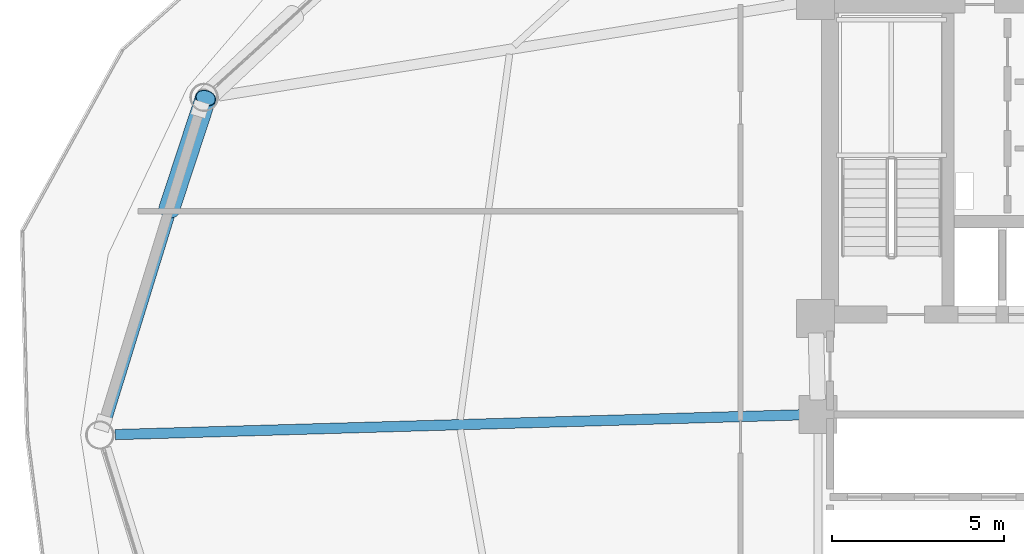
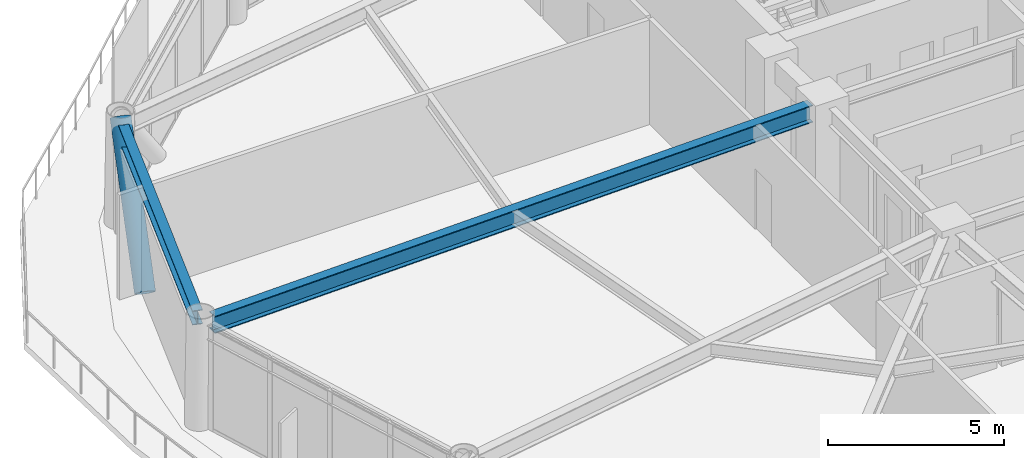
# One storey, part 9 of 26: 2 beams, 1 member.
"""IFC4 building model written with IfcOpenShell, lengths in metres."""

from ifc_helpers import new_model, si_unit, direction, frame, origin, origin_2d, place, context, subcontext, project, spatial, hollow_circle, i_section, extrude, material, material_profile, profile_set, type_object, element, save


model = new_model("IFC4")

# Units and contexts
model_context = context("Model", 3, precision=1e-05, world=origin(), true_north=direction((0.0, 1.0)))
body_context = subcontext(model_context, "Body", "Model", "MODEL_VIEW")
ifc_project = project(units=[si_unit("LENGTHUNIT", "METRE"), si_unit("AREAUNIT", "SQUARE_METRE"), si_unit("VOLUMEUNIT", "CUBIC_METRE"), si_unit("PLANEANGLEUNIT", "RADIAN"), si_unit("MASSUNIT", "GRAM", prefix="KILO")], contexts=[model_context])

# Site, building, storey
site_placement = place(None, origin())
site = spatial("IfcSite", under=ifc_project, at=site_placement, CompositionType="ELEMENT")
building_placement = place(site_placement, origin())
building = spatial("IfcBuilding", under=site, at=building_placement, Name="Varnakorn Sky Granary", CompositionType="ELEMENT")
storey_placement = place(building_placement, frame((0.0, 0.0, 95.39990234375)))
storey = spatial("IfcBuildingStorey", under=building, at=storey_placement, Name="L23", CompositionType="ELEMENT", Elevation=95.39990234375)

# Beams
ifc_material_1 = material(Name="Steel S355JR", Category="steel")
ifc_material_profile_1 = material_profile(ifc_material_1, i_section(OverallWidth=0.300048828125, OverallDepth=0.60009765625, WebThickness=0.015380859375, FlangeThickness=0.030029296875, at=origin_2d()), Name="HE 600 B")
ifc_profile_set_1 = profile_set([ifc_material_profile_1], Name="Steel S355JR")
beam_type_1 = type_object("IfcBeamType", Name="BM-RAD-Z2", PredefinedType="BEAM", material=ifc_profile_set_1)
beam_1_placement = place(storey_placement, frame((-2.769775390625, 0.587890625, 3.340087890625), z_axis=(-0.999584131348, -0.028836857627, 0.0), x_axis=(0.028836857627, -0.999584131348, 0.0)))
element("IfcBeam", 1, at=beam_1_placement, inside=storey, type_object=beam_type_1, Name="Radial Floor Girder RG07 L23", PredefinedType="BEAM", context=body_context, shape_type="SweptSolid", body=[
    extrude(i_section(OverallWidth=0.300048828125, OverallDepth=0.60009765625, WebThickness=0.015380859375, FlangeThickness=0.030029296875, at=origin_2d()), origin(), (0.0, 0.0, 1.0), 19.997314453125),
])
ifc_material_profile_2 = material_profile(ifc_material_1, i_section(OverallWidth=0.300048828125, OverallDepth=0.5, WebThickness=0.014404296875, FlangeThickness=0.028076171875, at=origin_2d()), Name="HE 500 B")
ifc_profile_set_2 = profile_set([ifc_material_profile_2], Name="Steel S355JR")
beam_type_2 = type_object("IfcBeamType", Name="BM-SPD-Z2", PredefinedType="SPANDREL", material=ifc_profile_set_2)
beam_2_placement = place(storey_placement, frame((-20.247802734375, 9.411865234375, 3.39013671875), z_axis=(-0.294664442498, -0.955600788158, 0.0), x_axis=(0.955600788158, -0.294664442498, 0.0)))
element("IfcBeam", 2, at=beam_2_placement, inside=storey, type_object=beam_type_2, Name="Perimeter Spandrel Ring Beam RB06 L23", PredefinedType="SPANDREL", context=body_context, shape_type="SweptSolid", body=[
    extrude(i_section(OverallWidth=0.300048828125, OverallDepth=0.5, WebThickness=0.014404296875, FlangeThickness=0.028076171875, at=origin_2d()), origin(), (0.0, 0.0, 1.0), 9.457763671875),
])

# Member
ifc_material_2 = material(Name="Steel S460M", Category="steel")
ifc_material_profile_3 = material_profile(ifc_material_2, hollow_circle(Radius=0.304931640625, WallThickness=0.022216796875, at=origin_2d()), Name="CHS 610x22")
ifc_profile_set_3 = profile_set([ifc_material_profile_3], Name="Steel S460M")
member_type = type_object("IfcMemberType", Name="MB-DIAG-T1", PredefinedType="BRACE", material=ifc_profile_set_3)
member_placement = place(storey_placement, frame((-21.199462890625, 6.5400390625, -0.1298828125), z_axis=(0.20969200771, 0.637953144739, 0.740975739832), x_axis=(-0.949996930273, 0.31225923921, 0.0)))
element("IfcMember", 3, at=member_placement, inside=storey, type_object=member_type, Name="Perimeter CHS Diagrid Brace DG06 L23", PredefinedType="BRACE", context=body_context, shape_type="SweptSolid", body=[
    extrude(hollow_circle(Radius=0.304931640625, WallThickness=0.022216796875, at=origin_2d()), origin(), (0.0, 0.0, 1.0), 5.087890625),
])

save(model, "model.ifc")
